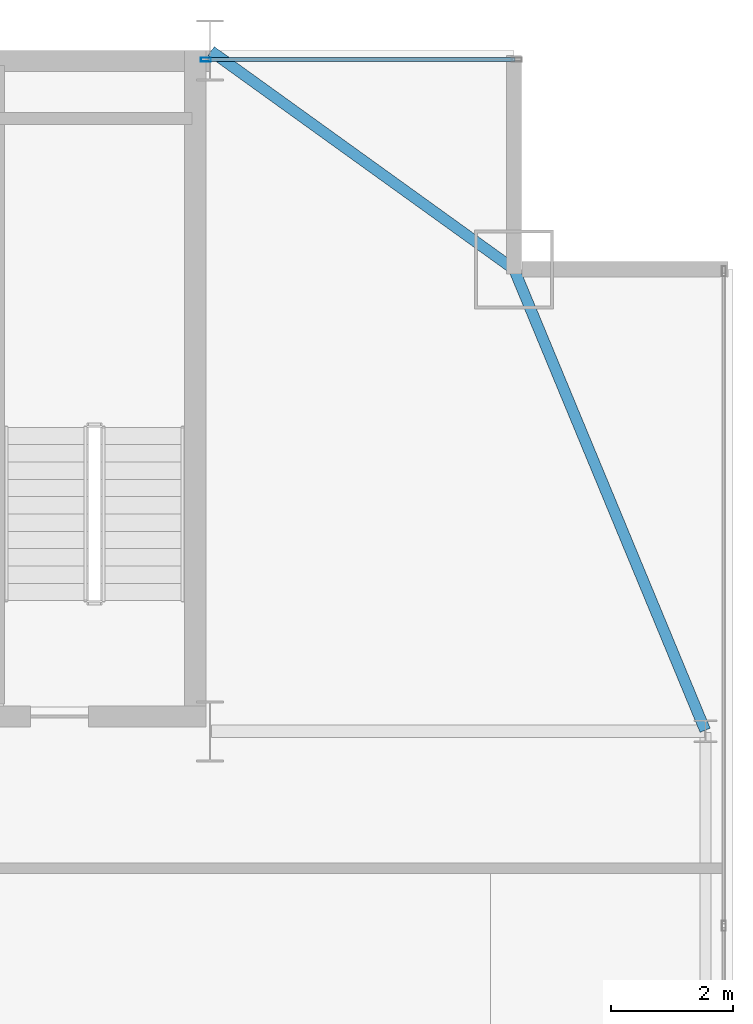
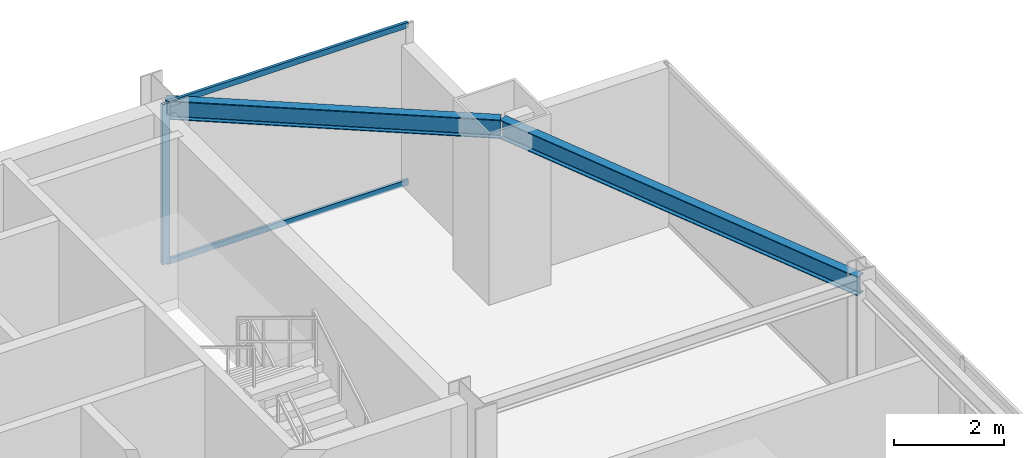
# One storey, part 21 of 31: 3 members, 2 beams, 1 element without a shape of its own.
"""IFC4 building model written with IfcOpenShell, lengths in metres."""

from ifc_helpers import new_model, si_unit, direction, frame, origin, origin_2d, place, context, subcontext, project, spatial, hollow_rectangle, i_section, extrude, source, transform, mapped, material, layer, layer_set, material_profile, profile_set, type_object, type_shapes, element, aggregate, save


model = new_model("IFC4")

# Units and contexts
model_context = context("Model", 3, precision=1e-05, world=origin(), true_north=direction((0.0, 1.0)))
body_context = subcontext(model_context, "Body", "Model", "MODEL_VIEW")
ifc_project = project(units=[si_unit("LENGTHUNIT", "METRE"), si_unit("AREAUNIT", "SQUARE_METRE"), si_unit("VOLUMEUNIT", "CUBIC_METRE"), si_unit("PLANEANGLEUNIT", "RADIAN"), si_unit("MASSUNIT", "GRAM", prefix="KILO")], contexts=[model_context])

# Site, building, storey
site_placement = place(None, origin())
site = spatial("IfcSite", under=ifc_project, at=site_placement, CompositionType="ELEMENT")
building_placement = place(site_placement, origin())
building = spatial("IfcBuilding", under=site, at=building_placement, Name="Varnel Quay Broadcast Tower", CompositionType="ELEMENT")
storey_placement = place(building_placement, frame((0.0, 0.0, 153.39990234375)))
storey = spatial("IfcBuildingStorey", under=building, at=storey_placement, Name="L37", CompositionType="ELEMENT", Elevation=153.39990234375)

# Beams
ifc_material_1 = material(Name="Structural Steel CSA G40.21 350W", Category="steel")
ifc_material_profile_1 = material_profile(ifc_material_1, i_section(OverallWidth=0.180908203125, OverallDepth=0.4169921875, WebThickness=0.010986328125, FlangeThickness=0.018310546875, FilletRadius=0.011962890625, at=origin_2d()), Name="W410X85")
ifc_profile_set_1 = profile_set([ifc_material_profile_1], Name="Structural Steel CSA G40.21 350W")
beam_type = type_object("IfcBeamType", Name="Beam_W410X85", PredefinedType="SPANDREL", material=ifc_profile_set_1)
shared_shape_1 = source(origin(), body_context, "Body", "SweptSolid", [
    extrude(i_section(OverallWidth=0.180908203125, OverallDepth=0.4169921875, WebThickness=0.010986328125, FlangeThickness=0.018310546875, FilletRadius=0.011962890625, at=origin_2d()), origin(), (0.0, 0.0, 1.0), 8.186767578125),
])
beam_1_placement = place(storey_placement, frame((60.542236328125, 35.618408203125, 3.341552734375), z_axis=(-0.382874132092, 0.923800519038, 0.0), x_axis=(-0.923800519038, -0.382874132092, 0.0)))
element("IfcBeam", 1, at=beam_1_placement, inside=storey, type_object=beam_type, Name="L37 East Spandrel TC-E3-MC-NE", PredefinedType="SPANDREL", context=body_context, shape_type="MappedRepresentation", body=[
    mapped(shared_shape_1, transform((0.0, 0.0, 0.0), x_axis=(1.0, 0.0, 0.0), y_axis=(0.0, 1.0, 0.0), z_axis=(0.0, 0.0, 1.0), scale=1.0)),
])
shared_shape_2 = source(origin(), body_context, "Body", "SweptSolid", [
    extrude(i_section(OverallWidth=0.180908203125, OverallDepth=0.4169921875, WebThickness=0.010986328125, FlangeThickness=0.018310546875, FilletRadius=0.011962890625, at=origin_2d()), origin(), (0.0, 0.0, 1.0), 6.12109375),
])
type_shapes(beam_type, [shared_shape_1, shared_shape_2])
beam_2_placement = place(storey_placement, frame((52.416259765625, 46.788330078125, 3.341552734375), z_axis=(0.811531315425, -0.584308928637, 0.0), x_axis=(0.584308928637, 0.811531315425, 0.0)))
element("IfcBeam", 2, at=beam_2_placement, inside=storey, type_object=beam_type, Name="L37 NE Tie Spandrel", PredefinedType="SPANDREL", context=body_context, shape_type="MappedRepresentation", body=[
    mapped(shared_shape_2, transform((0.0, 0.0, 0.0), x_axis=(1.0, 0.0, 0.0), y_axis=(0.0, 1.0, 0.0), z_axis=(0.0, 0.0, 1.0), scale=1.0)),
])

# Curtain wall, members
ifc_material_2 = material(Name="Anodised Bronze Aluminium 6063-T6", Category="aluminium")
ifc_layer = layer(ifc_material_2, 0.18994140625, Name="Anodised Bronze Aluminium 6063-T6")
ifc_layer_set = layer_set([ifc_layer], Name="Anodised Bronze Aluminium 6063-T6")
curtain_wall_type = type_object("IfcCurtainWallType", Name="CW_UpperTower", PredefinedType="NOTDEFINED", material=ifc_layer_set)
curtain_wall_placement = place(storey_placement, origin())
curtain_wall = element("IfcCurtainWall", 3, at=curtain_wall_placement, inside=storey, type_object=curtain_wall_type, Name="L37 NE Wing Curtain Wall", PredefinedType="NOTDEFINED")
ifc_material_profile_2 = material_profile(ifc_material_2, hollow_rectangle(XDim=0.06494140625, YDim=0.1650390625, WallThickness=0.00341796875, at=origin_2d()), Name="ALU65X165X3.5")
ifc_profile_set_2 = profile_set([ifc_material_profile_2], Name="Anodised Bronze Aluminium 6063-T6")
member_type_1 = type_object("IfcMemberType", Name="Mull_CWS-03", PredefinedType="MULLION", material=ifc_profile_set_2)
shared_shape_3 = source(origin(), body_context, "Body", "SweptSolid", [
    extrude(hollow_rectangle(XDim=0.06494140625, YDim=0.1650390625, WallThickness=0.00341796875, at=origin_2d()), origin(), (0.0, 0.0, 1.0), 3.550048828125),
])
type_shapes(member_type_1, [shared_shape_3])
member_1_placement = place(storey_placement, frame((52.33251953125, 46.64990234375, 0.0), z_axis=(0.0, 0.0, 1.0), x_axis=(0.0, 1.0, 0.0)))
member_1 = element("IfcMember", 4, at=member_1_placement, type_object=member_type_1, Name="CWS-03 mullion 1", PredefinedType="MULLION", context=body_context, shape_type="MappedRepresentation", body=[
    mapped(shared_shape_3, transform((0.0, 0.0, 0.0), x_axis=(1.0, 0.0, 0.0), y_axis=(0.0, 1.0, 0.0), z_axis=(0.0, 0.0, 1.0), scale=1.0)),
])
ifc_material_profile_3 = material_profile(ifc_material_2, hollow_rectangle(XDim=0.06005859375, YDim=0.125, WallThickness=0.0029296875, at=origin_2d()), Name="ALU60X125X3")
ifc_profile_set_3 = profile_set([ifc_material_profile_3], Name="Anodised Bronze Aluminium 6063-T6")
member_type_2 = type_object("IfcMemberType", Name="Tran_CWS-03", PredefinedType="USERDEFINED", material=ifc_profile_set_3)
shared_shape_4 = source(origin(), body_context, "Body", "SweptSolid", [
    extrude(hollow_rectangle(XDim=0.06005859375, YDim=0.125, WallThickness=0.0029296875, at=origin_2d()), origin(), (0.0, 0.0, 1.0), 5.050048828125),
])
type_shapes(member_type_2, [shared_shape_4])
member_2_placement = place(storey_placement, frame((52.364990234375, 46.64990234375, 0.030029296875), z_axis=(1.0, 0.0, 0.0), x_axis=(0.0, 1.0, 0.0)))
member_2 = element("IfcMember", 5, at=member_2_placement, type_object=member_type_2, Name="CWS-03 transom 1.1", ObjectType="TRANSOM", PredefinedType="USERDEFINED", context=body_context, shape_type="MappedRepresentation", body=[
    mapped(shared_shape_4, transform((0.0, 0.0, 0.0), x_axis=(1.0, 0.0, 0.0), y_axis=(0.0, 1.0, 0.0), z_axis=(0.0, 0.0, 1.0), scale=1.0)),
])
member_3_placement = place(storey_placement, frame((52.364990234375, 46.64990234375, 3.52001953125), z_axis=(1.0, 0.0, 0.0), x_axis=(0.0, 1.0, 0.0)))
member_3 = element("IfcMember", 6, at=member_3_placement, type_object=member_type_2, Name="CWS-03 transom 1.2", ObjectType="TRANSOM", PredefinedType="USERDEFINED", context=body_context, shape_type="MappedRepresentation", body=[
    mapped(shared_shape_4, transform((0.0, 0.0, 0.0), x_axis=(1.0, 0.0, 0.0), y_axis=(0.0, 1.0, 0.0), z_axis=(0.0, 0.0, 1.0), scale=1.0)),
])
aggregate(curtain_wall, [member_1, member_2, member_3])

save(model, "model.ifc")
